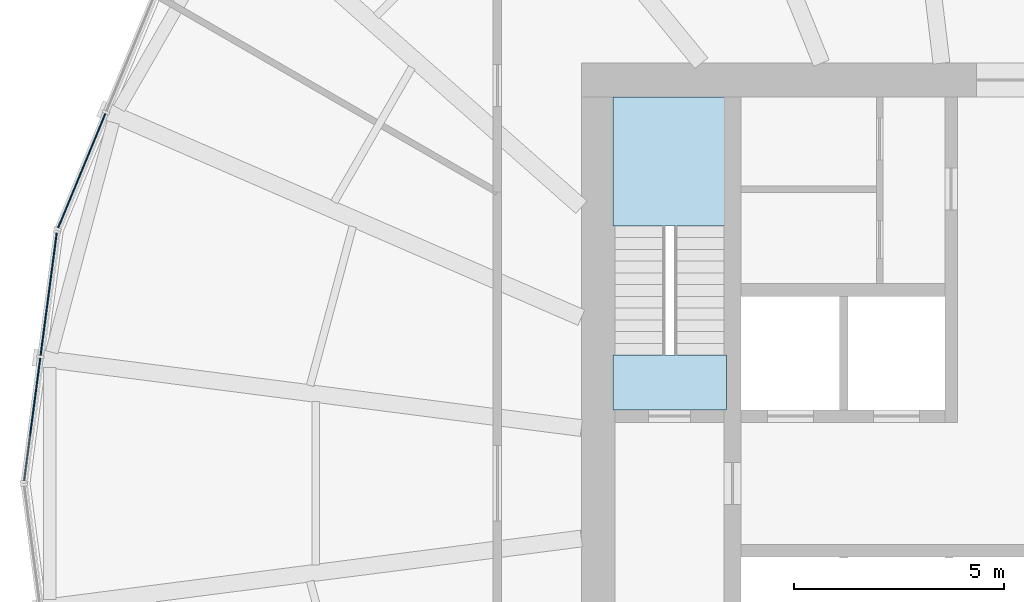
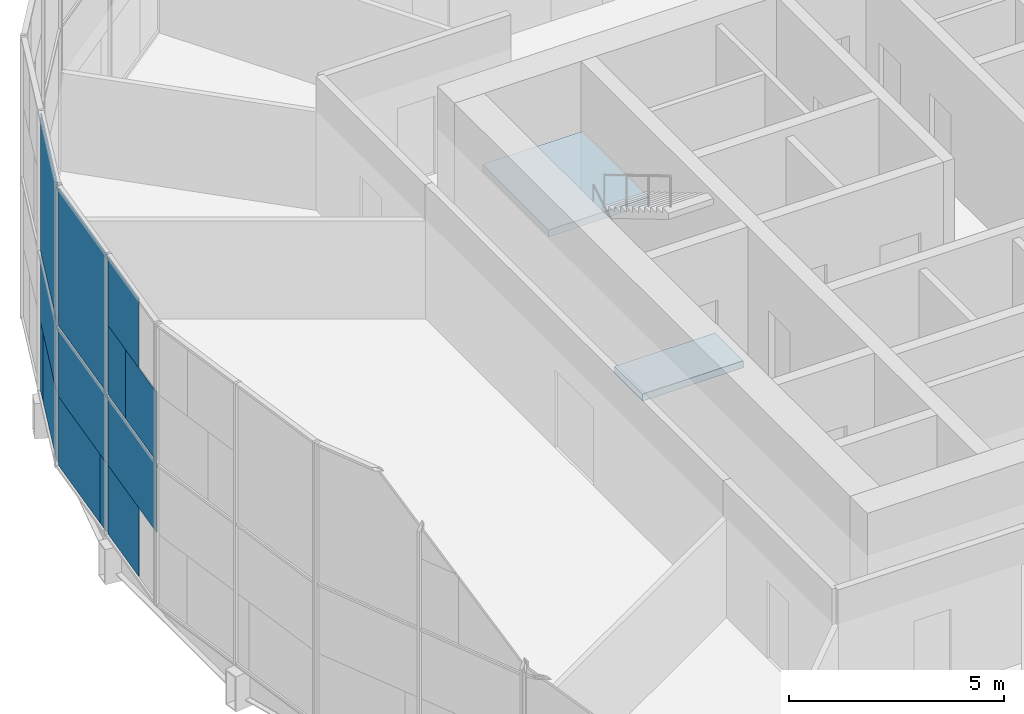
# One storey, part 10 of 18: 13 plates, 2 slabs, 3 elements without a shape of their own.
"""IFC4 building model written with IfcOpenShell, lengths in metres."""

from ifc_helpers import new_model, si_unit, direction, frame, origin, origin_2d, place, context, subcontext, project, spatial, polyline, rectangle, outline, extrude, material, layer, layer_set, type_object, element, aggregate, save


model = new_model("IFC4")

# Units and contexts
model_context = context("Model", 3, precision=1e-05, world=origin(), true_north=direction((0.0, 1.0)))
body_context = subcontext(model_context, "Body", "Model", "MODEL_VIEW")
ifc_project = project(units=[si_unit("LENGTHUNIT", "METRE"), si_unit("AREAUNIT", "SQUARE_METRE"), si_unit("VOLUMEUNIT", "CUBIC_METRE"), si_unit("PLANEANGLEUNIT", "RADIAN"), si_unit("MASSUNIT", "GRAM", prefix="KILO")], contexts=[model_context])

# Site, building, storey
site_placement = place(None, origin())
site = spatial("IfcSite", under=ifc_project, at=site_placement, CompositionType="ELEMENT")
building_placement = place(site_placement, origin())
building = spatial("IfcBuilding", under=site, at=building_placement, Name="Golbaran Civic Tower", CompositionType="ELEMENT")
storey_placement = place(building_placement, frame((0.0, 0.0, 45.0)))
storey = spatial("IfcBuildingStorey", under=building, at=storey_placement, Name="L10", CompositionType="ELEMENT", Elevation=45.0)

# Curtain wall, plates
ifc_material_1 = material(Name="Aluminium and glass", Category="aluminium")
curtain_wall_type = type_object("IfcCurtainWallType", Name="INNER SKIN CURTAIN WALL", PredefinedType="NOTDEFINED", material=ifc_material_1)
curtain_wall_1_placement = place(storey_placement, origin())
curtain_wall_1 = element("IfcCurtainWall", 1, at=curtain_wall_1_placement, inside=storey, type_object=curtain_wall_type, Name="Inner skin L10 facet 11 CW1", ObjectType="INNER SKIN", PredefinedType="USERDEFINED")
ifc_material_2 = material(Name="Clear insulating glass", Category="glass")
ifc_layer_1 = layer(ifc_material_2, 0.031982421875, Name="Clear insulating glass")
ifc_layer_set_1 = layer_set([ifc_layer_1], Name="Clear insulating glass")
plate_type_1 = type_object("IfcPlateType", Name="INNER SKIN CURTAIN WALL GLAZED PANEL", PredefinedType="CURTAIN_PANEL", material=ifc_layer_set_1)
plate_1_placement = place(storey_placement, frame((-21.971435546875, 7.24609375, 0.06494140625), z_axis=(0.0, 0.0, 1.0), x_axis=(-0.38268343251, -0.923879532451, 0.0)))
plate_1 = element("IfcPlate", 2, at=plate_1_placement, type_object=plate_type_1, Name="CW1 panel 2.1 part 2", PredefinedType="CURTAIN_PANEL", context=body_context, shape_type="SweptSolid", body=[
    extrude(rectangle(XDim=2.51806640625, YDim=0.031982421875, at=origin_2d()), origin(), (0.0, 0.0, 1.0), 1.951171875),
])
plate_2_placement = place(storey_placement, frame((-21.890625, 7.441162109375, 2.016357421875), z_axis=(0.0, 0.0, 1.0), x_axis=(-0.38268343251, -0.923879532451, 0.0)))
plate_2 = element("IfcPlate", 3, at=plate_2_placement, type_object=plate_type_1, Name="CW1 panel 2.1 part 3", PredefinedType="CURTAIN_PANEL", context=body_context, shape_type="SweptSolid", body=[
    extrude(rectangle(XDim=2.93994140625, YDim=0.031982421875, at=origin_2d()), origin(), (0.0, 0.0, 1.0), 1.951171875),
])
plate_3_placement = place(storey_placement, frame((-21.890625, 7.441162109375, 4.0322265625), z_axis=(0.0, 0.0, 1.0), x_axis=(-0.38268343251, -0.923879532451, 0.0)))
plate_3 = element("IfcPlate", 4, at=plate_3_placement, type_object=plate_type_1, Name="CW1 panel 2.2", PredefinedType="CURTAIN_PANEL", context=body_context, shape_type="SweptSolid", body=[
    extrude(rectangle(XDim=2.93994140625, YDim=0.031982421875, at=origin_2d()), origin(), (0.0, 0.0, 1.0), 3.902587890625),
])

curtain_wall_2_placement = place(storey_placement, origin())
curtain_wall_2 = element("IfcCurtainWall", 5, at=curtain_wall_2_placement, inside=storey, type_object=curtain_wall_type, Name="Inner skin L10 facet 12 CW1", ObjectType="INNER SKIN", PredefinedType="USERDEFINED")
plate_4_placement = place(storey_placement, frame((-22.65087890625, 4.710205078125, 0.06494140625), z_axis=(0.0, 0.0, 1.0), x_axis=(-0.130526192134, -0.991444861385, 0.0)))
plate_4 = element("IfcPlate", 6, at=plate_4_placement, type_object=plate_type_1, Name="CW1 panel 1.1 part 1", PredefinedType="CURTAIN_PANEL", context=body_context, shape_type="SweptSolid", body=[
    extrude(rectangle(XDim=2.51806640625, YDim=0.031982421875, at=origin_2d()), origin(), (0.0, 0.0, 1.0), 1.951171875),
])
plate_5_placement = place(storey_placement, frame((-22.678466796875, 4.501220703125, 2.016357421875), z_axis=(0.0, 0.0, 1.0), x_axis=(-0.130526192134, -0.991444861385, 0.0)))
plate_5 = element("IfcPlate", 7, at=plate_5_placement, type_object=plate_type_1, Name="CW1 panel 1.1 part 3", PredefinedType="CURTAIN_PANEL", context=body_context, shape_type="SweptSolid", body=[
    extrude(rectangle(XDim=2.93994140625, YDim=0.031982421875, at=origin_2d()), origin(), (0.0, 0.0, 1.0), 1.951171875),
])
plate_6_placement = place(storey_placement, frame((-22.678466796875, 4.501220703125, 4.0322265625), z_axis=(0.0, 0.0, 1.0), x_axis=(-0.130526192134, -0.991444861385, 0.0)))
plate_6 = element("IfcPlate", 8, at=plate_6_placement, type_object=plate_type_1, Name="CW1 panel 1.2", PredefinedType="CURTAIN_PANEL", context=body_context, shape_type="SweptSolid", body=[
    extrude(rectangle(XDim=2.93994140625, YDim=0.031982421875, at=origin_2d()), origin(), (0.0, 0.0, 1.0), 3.902587890625),
])
plate_7_placement = place(storey_placement, frame((-22.949462890625, 2.44287109375, 4.032470703125), z_axis=(0.0, 0.0, 1.0), x_axis=(-0.130526192134, -0.991444861385, 0.0)))
plate_7 = element("IfcPlate", 9, at=plate_7_placement, type_object=plate_type_1, Name="CW1 panel 2.2 part 1", PredefinedType="CURTAIN_PANEL", context=body_context, shape_type="SweptSolid", body=[
    extrude(rectangle(XDim=1.08203125, YDim=0.031982421875, at=origin_2d()), origin(), (0.0, 0.0, 1.0), 1.951171875),
])
plate_8_placement = place(storey_placement, frame((-23.0, 2.05859375, 5.98388671875), z_axis=(0.0, 0.0, 1.0), x_axis=(-0.130526192134, -0.991444861385, 0.0)))
plate_8 = element("IfcPlate", 10, at=plate_8_placement, type_object=plate_type_1, Name="CW1 panel 2.2 part 3", PredefinedType="CURTAIN_PANEL", context=body_context, shape_type="SweptSolid", body=[
    extrude(rectangle(XDim=1.85693359375, YDim=0.031982421875, at=origin_2d()), origin(), (0.0, 0.0, 1.0), 1.951171875),
])

# Plate
ifc_material_3 = material(Name="Aluminium faced opaque infill panel", Category="aluminium")
ifc_layer_2 = layer(ifc_material_3, 0.031982421875, Name="Aluminium faced opaque infill panel")
ifc_layer_set_2 = layer_set([ifc_layer_2], Name="Aluminium faced opaque infill panel")
plate_type_2 = type_object("IfcPlateType", Name="INNER SKIN CURTAIN WALL OPAQUE INFILL PANEL", PredefinedType="CURTAIN_PANEL", material=ifc_layer_set_2)
plate_9_placement = place(storey_placement, frame((-21.408935546875, 8.604248046875, 0.06494140625), z_axis=(0.0, 0.0, 1.0), x_axis=(-0.38268343251, -0.923879532451, 0.0)))
plate_9 = element("IfcPlate", 11, at=plate_9_placement, type_object=plate_type_2, Name="CW1 infill panel 2.1 part 1", PredefinedType="CURTAIN_PANEL", context=body_context, shape_type="SweptSolid", body=[
    extrude(rectangle(XDim=0.422119140625, YDim=0.031982421875, at=origin_2d()), origin(), (0.0, 0.0, 1.0), 1.951171875),
])

aggregate(curtain_wall_1, [plate_9, plate_1, plate_2, plate_3])

plate_10_placement = place(storey_placement, frame((-22.8427734375, 3.2529296875, 0.06494140625), z_axis=(0.0, 0.0, 1.0), x_axis=(-0.130526192134, -0.991444861385, 0.0)))
plate_10 = element("IfcPlate", 12, at=plate_10_placement, type_object=plate_type_2, Name="CW1 infill panel 1.1 part 2", PredefinedType="CURTAIN_PANEL", context=body_context, shape_type="SweptSolid", body=[
    extrude(rectangle(XDim=0.421875, YDim=0.031982421875, at=origin_2d()), origin(), (0.0, 0.0, 1.0), 1.951171875),
])

plate_11_placement = place(storey_placement, frame((-23.00146484375, 2.046875, 0.06494140625), z_axis=(0.0, 0.0, 1.0), x_axis=(-0.130526192134, -0.991444861385, 0.0)))
plate_11 = element("IfcPlate", 13, at=plate_11_placement, type_object=plate_type_2, Name="CW1 infill panel 2.1 part 1", PredefinedType="CURTAIN_PANEL", context=body_context, shape_type="SweptSolid", body=[
    extrude(rectangle(XDim=1.881103515625, YDim=0.031982421875, at=origin_2d()), origin(), (0.0, 0.0, 1.0), 1.951171875),
])

plate_12_placement = place(storey_placement, frame((-23.070556640625, 1.52197265625, 2.016357421875), z_axis=(0.0, 0.0, 1.0), x_axis=(-0.130526192134, -0.991444861385, 0.0)))
plate_12 = element("IfcPlate", 14, at=plate_12_placement, type_object=plate_type_2, Name="CW1 infill panel 2.1 part 3", PredefinedType="CURTAIN_PANEL", context=body_context, shape_type="SweptSolid", body=[
    extrude(rectangle(XDim=2.93994140625, YDim=0.031982421875, at=origin_2d()), origin(), (0.0, 0.0, 1.0), 1.951171875),
])

plate_13_placement = place(storey_placement, frame((-23.141357421875, 0.985595703125, 4.032470703125), z_axis=(0.0, 0.0, 1.0), x_axis=(-0.130526192134, -0.991444861385, 0.0)))
plate_13 = element("IfcPlate", 15, at=plate_13_placement, type_object=plate_type_2, Name="CW1 infill panel 2.2 part 2", PredefinedType="CURTAIN_PANEL", context=body_context, shape_type="SweptSolid", body=[
    extrude(rectangle(XDim=1.85791015625, YDim=0.031982421875, at=origin_2d()), origin(), (0.0, 0.0, 1.0), 1.951171875),
])

aggregate(curtain_wall_2, [plate_4, plate_10, plate_5, plate_6, plate_11, plate_12, plate_7, plate_13, plate_8])

# Stair, slab
ifc_material_4 = material(Name="Concrete C35/45", Category="concrete")
stair_type = type_object("IfcStairType", Name="EXIT STAIR 2600 x 7450, 4000 RISE", PredefinedType="HALF_TURN_STAIR", material=ifc_material_4)
stair_placement = place(storey_placement, origin())
stair = element("IfcStair", 16, at=stair_placement, inside=storey, type_object=stair_type, Name="Stair S1 L10", PredefinedType="HALF_TURN_STAIR")
ifc_layer_3 = layer(ifc_material_4, 0.199951171875, Name="Concrete C35/45")
ifc_layer_set_3 = layer_set([ifc_layer_3], Name="Concrete C35/45")
slab_type = type_object("IfcSlabType", Name="STAIR LANDING 200", PredefinedType="LANDING", material=ifc_layer_set_3)
slab_1_placement = place(storey_placement, frame((0.0, 0.0, 1.800048828125)))
slab_1 = element("IfcSlab", 17, at=slab_1_placement, type_object=slab_type, Name="ST26074-40 landing 1", PredefinedType="LANDING", context=body_context, shape_type="SweptSolid", body=[
    extrude(outline(polyline([(-9.25, 6.125), (-9.25, 9.199951171875), (-6.550048828125, 9.199951171875), (-6.550048828125, 6.125), (-9.25, 6.125)])), origin(), (0.0, 0.0, 1.0), 0.199951171875),
])
aggregate(stair, [slab_1])

# Slab
slab_2_placement = place(storey_placement, frame((0.0, 0.0, -0.199951171875)))
element("IfcSlab", 18, at=slab_2_placement, inside=storey, type_object=slab_type, Name="Stair S1 floor landing L10", PredefinedType="LANDING", context=body_context, shape_type="SweptSolid", body=[
    extrude(outline(polyline([(-9.25, 1.75), (-9.25, 3.054931640625), (-6.550048828125, 3.054931640625), (-6.550048828125, 1.75), (-9.25, 1.75)])), origin(), (0.0, 0.0, 1.0), 0.199951171875),
])

save(model, "model.ifc")
